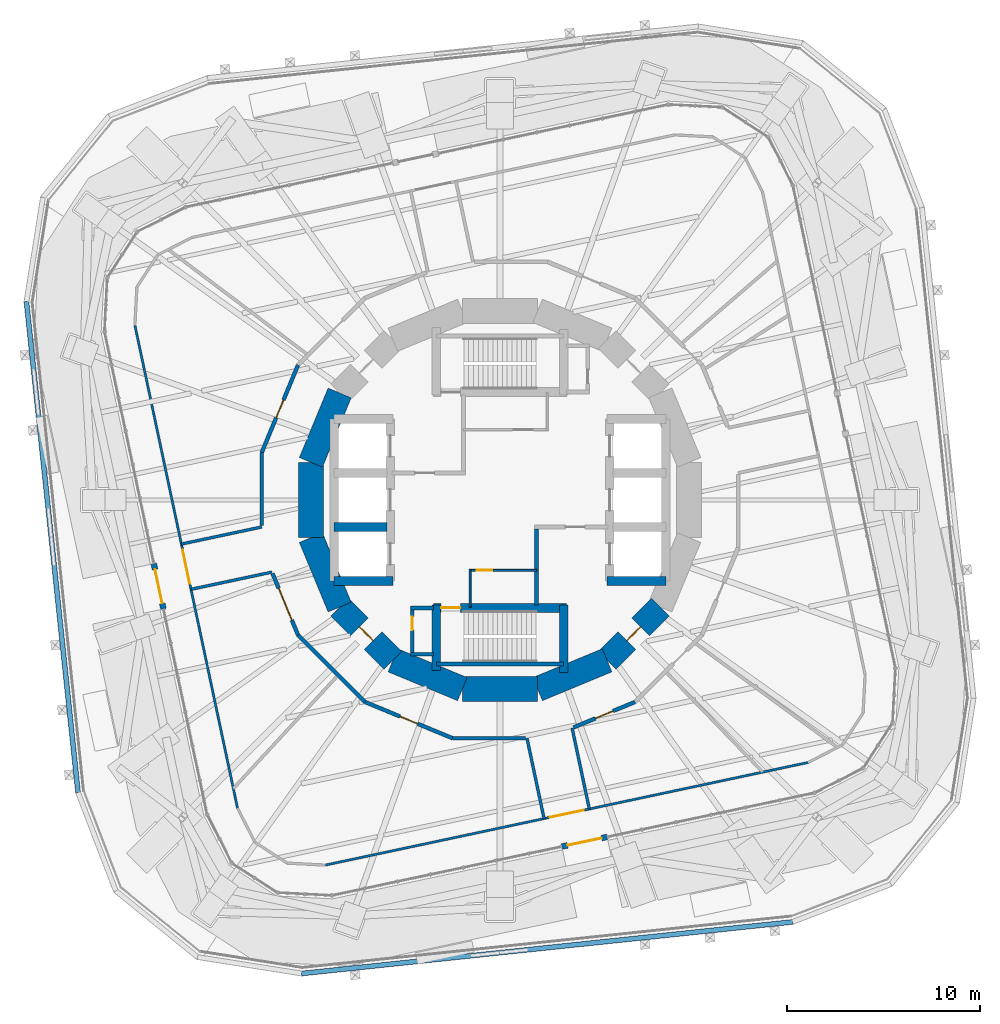
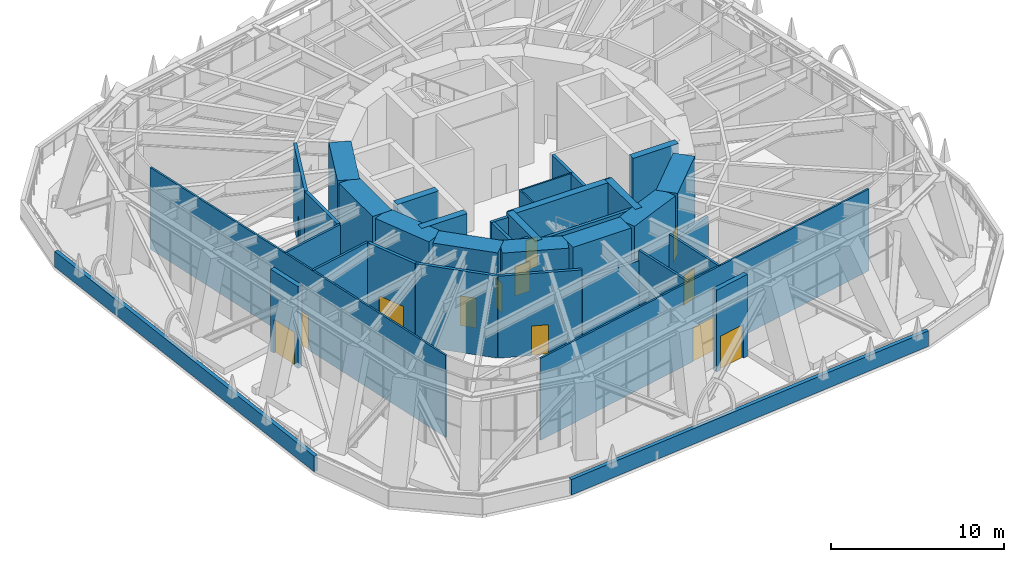
# One storey, part 15 of 23: 38 walls, 13 doors, 13 openings.
"""IFC4 building model written with IfcOpenShell, lengths in metres."""

import ifcopenshell
import ifcopenshell.guid

model = None  # the IFC model being written
_history = None  # IfcOwnerHistory: only IFC2X3 demands one
_inside = {}  # id of a spatial element -> (the spatial element, [elements in it])
_under = {}  # id of a project, library or spatial element -> (it, [spatial elements below it])
_declared = {}  # id of a project -> (the project, [libraries it declares])
_typed = {}  # id of a type object -> (the type object, [elements of that type])
_made_of = {}  # id of a material, layer set ... -> (it, [elements and type objects made of it])


def new_model(schema):
    """Start an empty IFC model of exactly this schema.

    Asked for "IFC4X3", IfcOpenShell would pick the latest addendum, in which some entities
    have other attributes; the version numbers below select the first issue.
    IFC2X3 requires an IfcOwnerHistory on every rooted entity: one is made here for all.
    """
    global model, _history
    if schema == "IFC4X3":
        model = ifcopenshell.file(schema_version=(4, 3, 0, 0))
    else:
        model = ifcopenshell.file(schema=schema)
    _inside.clear()
    _under.clear()
    _declared.clear()
    _typed.clear()
    _made_of.clear()
    _history = None
    if model.schema == "IFC2X3":
        org = make("IfcOrganization", Name="unknown")
        user = make(
            "IfcPersonAndOrganization",
            ThePerson=make("IfcPerson", FamilyName="unknown"),
            TheOrganization=org,
        )
        app = make(
            "IfcApplication",
            ApplicationDeveloper=org,
            Version="unknown",
            ApplicationFullName="unknown",
            ApplicationIdentifier="unknown",
        )
        _history = make(
            "IfcOwnerHistory",
            OwningUser=user,
            OwningApplication=app,
            ChangeAction="ADDED",
            CreationDate=0,
        )
    return model


def make(cls, **values):
    """One entity of the class cls with the attributes given. An attribute that is None is left unset."""
    return model.create_entity(
        cls, **{name: value for name, value in values.items() if value is not None}
    )


def rooted(cls, **values):
    """An entity with a GlobalId (a new one), such as an element, a storey or a relation."""
    return make(cls, GlobalId=ifcopenshell.guid.new(), OwnerHistory=_history, **values)


def si_unit(unit_type, name, prefix=None):
    """IfcSIUnit, for example si_unit("LENGTHUNIT", "METRE", prefix="MILLI")."""
    return make("IfcSIUnit", UnitType=unit_type, Prefix=prefix, Name=name)


def assignment(units):
    """IfcUnitAssignment: the units of a project."""
    return None if units is None else make("IfcUnitAssignment", Units=units)


def point(xyz):
    """IfcCartesianPoint."""
    return None if xyz is None else make("IfcCartesianPoint", Coordinates=xyz)


def direction(xyz):
    """IfcDirection."""
    return None if xyz is None else make("IfcDirection", DirectionRatios=xyz)


def frame(location, z_axis=None, x_axis=None):
    """IfcAxis2Placement3D, a coordinate frame: its origin and axes. An axis left out is left unset."""
    return make(
        "IfcAxis2Placement3D",
        Location=point(location),
        Axis=direction(z_axis),
        RefDirection=direction(x_axis),
    )


def frame_2d(location, x_axis=None):
    """IfcAxis2Placement2D, a coordinate frame in the plane: its origin and x axis."""
    return make(
        "IfcAxis2Placement2D", Location=point(location), RefDirection=direction(x_axis)
    )


def origin():
    """The frame at (0, 0, 0) with its axes left unset."""
    return frame((0.0, 0.0, 0.0))


def place(relative_to, where):
    """IfcLocalPlacement: puts the frame where relative to a parent placement (None: the world)."""
    return make(
        "IfcLocalPlacement", PlacementRelTo=relative_to, RelativePlacement=where
    )


def context(
    kind, dimensions, precision=None, world=None, true_north=None, identifier=None
):
    """IfcGeometricRepresentationContext, for example the 3D "Model" context."""
    return make(
        "IfcGeometricRepresentationContext",
        ContextIdentifier=identifier,
        ContextType=kind,
        CoordinateSpaceDimension=dimensions,
        Precision=precision,
        WorldCoordinateSystem=world,
        TrueNorth=true_north,
    )


def subcontext(parent, identifier, kind, view, scale=None):
    """IfcGeometricRepresentationSubContext, for example "Body" below "Model"."""
    return make(
        "IfcGeometricRepresentationSubContext",
        ContextIdentifier=identifier,
        ContextType=kind,
        ParentContext=parent,
        TargetScale=scale,
        TargetView=view,
    )


def project(units=None, contexts=None):
    """IfcProject with its units and contexts."""
    return rooted(
        "IfcProject",
        Name="project",
        RepresentationContexts=contexts,
        UnitsInContext=assignment(units),
    )


def spatial(cls, under=None, at=None, **own):
    """A site, building, storey or space (cls), placed at a placement, below another one or the project."""
    s = rooted(cls, ObjectPlacement=at, **own)
    if under is not None:
        _under.setdefault(under.id(), (under, []))[1].append(s)
    return s


def profile(cls, at=None, kind="AREA", **sizes):
    """A parametric profile (cls). Its sizes go by their IFC names, for example OverallWidth=200.0."""
    return make(cls, ProfileType=kind, Position=at, **sizes)


def rectangle(**sizes):
    """IfcRectangleProfileDef."""
    return profile("IfcRectangleProfileDef", **sizes)


def extrude(swept, where, along, depth):
    """IfcExtrudedAreaSolid: the profile swept, set in the frame where, extruded along a direction by depth."""
    return make(
        "IfcExtrudedAreaSolid",
        SweptArea=swept,
        Position=where,
        ExtrudedDirection=direction(along),
        Depth=depth,
    )


def shape(context_of_items, identifier, shape_type, items):
    """IfcShapeRepresentation: the items that make up one representation, for example the "Body"."""
    return make(
        "IfcShapeRepresentation",
        ContextOfItems=context_of_items,
        RepresentationIdentifier=identifier,
        RepresentationType=shape_type,
        Items=items,
    )


def material(Name=None, Category=None):
    """IfcMaterial."""
    return make("IfcMaterial", Name=Name, Category=Category)


def layer(
    of_material, thickness, ventilated=None, Name=None, Category=None, Priority=None
):
    """IfcMaterialLayer: one layer of a wall or slab, of a material (None: an air gap)."""
    return make(
        "IfcMaterialLayer",
        Material=of_material,
        LayerThickness=thickness,
        IsVentilated=ventilated,
        Name=Name,
        Category=Category,
        Priority=Priority,
    )


def layer_set(layers, Name=None):
    """IfcMaterialLayerSet."""
    return make("IfcMaterialLayerSet", MaterialLayers=layers, LayerSetName=Name)


def made_of(thing, what):
    """Note that an element or type object is made of a material, layer set ...; save() writes the relation."""
    if what is not None:
        _made_of.setdefault(what.id(), (what, []))[1].append(thing)
    return thing


def type_object(cls, material=None, **own):
    """A type object (cls), such as IfcWallType, which elements share."""
    return made_of(rooted(cls, **own), material)


def element(
    cls,
    number,
    at=None,
    inside=None,
    cuts=None,
    type_object=None,
    material=None,
    context=None,
    identifier="Body",
    shape_type=None,
    held_by="IfcProductDefinitionShape",
    body=None,
    shapes=None,
    **own,
):
    """One element of the class cls, such as IfcWall. Its Tag is "e" and its number.

    at: its placement. inside: the storey or other place that contains it. cuts: it is an
    opening in that element (IfcRelVoidsElement). A single representation is given by context,
    identifier, shape_type and body (its items); several are given by shapes. held_by: the class
    of the entity that holds the representations. save() writes the other relations.
    """
    e = rooted(cls, Tag="e%d" % number, ObjectPlacement=at, **own)
    if body is not None:
        shapes = [shape(context, identifier, shape_type, body)]
    if shapes is not None:
        e.Representation = make(held_by, Representations=shapes)
    if inside is not None:
        _inside.setdefault(inside.id(), (inside, []))[1].append(e)
    if cuts is not None:
        rooted(
            "IfcRelVoidsElement", RelatingBuildingElement=cuts, RelatedOpeningElement=e
        )
    if type_object is not None:
        _typed.setdefault(type_object.id(), (type_object, []))[1].append(e)
    return made_of(e, material)


def fill(opening, filler):
    """IfcRelFillsElement: the door or window that sits in an opening."""
    return rooted(
        "IfcRelFillsElement",
        RelatingOpeningElement=opening,
        RelatedBuildingElement=filler,
    )


def aggregate(whole, parts):
    """IfcRelAggregates: a whole, such as a stair, and the parts it consists of."""
    return rooted("IfcRelAggregates", RelatingObject=whole, RelatedObjects=parts)


def save(model, path):
    """Write the relations noted so far, then the file.

    IfcRelAggregates (storeys below a building ...), IfcRelContainedInSpatialStructure (elements
    in a storey), IfcRelDefinesByType, IfcRelAssociatesMaterial and IfcRelDeclares: one each for
    every whole, place, type object, material and project.
    """
    for whole, parts in _under.values():
        aggregate(whole, parts)
    for where, things in _inside.values():
        rooted(
            "IfcRelContainedInSpatialStructure",
            RelatedElements=things,
            RelatingStructure=where,
        )
    for kind, things in _typed.values():
        rooted("IfcRelDefinesByType", RelatedObjects=things, RelatingType=kind)
    for what, things in _made_of.values():
        rooted("IfcRelAssociatesMaterial", RelatedObjects=things, RelatingMaterial=what)
    for by, libraries in _declared.values():
        rooted("IfcRelDeclares", RelatingContext=by, RelatedDefinitions=libraries)
    model.write(path)


model = new_model("IFC4")

# Units and contexts
model_context = context("Model", 3, precision=1e-05, world=origin(), true_north=direction((0.0, 1.0)))
body_context = subcontext(model_context, "Body", "Model", "MODEL_VIEW")
ifc_project = project(units=[si_unit("LENGTHUNIT", "METRE"), si_unit("AREAUNIT", "SQUARE_METRE"), si_unit("VOLUMEUNIT", "CUBIC_METRE"), si_unit("PLANEANGLEUNIT", "RADIAN"), si_unit("MASSUNIT", "GRAM", prefix="KILO")], contexts=[model_context])

# Site, building, storey
site_placement = place(None, origin())
site = spatial("IfcSite", under=ifc_project, at=site_placement, CompositionType="ELEMENT")
building_placement = place(site_placement, origin())
building = spatial("IfcBuilding", under=site, at=building_placement, Name="Nakasero Lantern House", CompositionType="ELEMENT")
storey_placement = place(building_placement, frame((0.0, 0.0, 95.14990234375)))
storey = spatial("IfcBuildingStorey", under=building, at=storey_placement, Name="L23", CompositionType="ELEMENT", Elevation=95.14990234375)

# Walls
ifc_material_1 = material(Name="Concrete C50/60", Category="concrete")
ifc_layer_1 = layer(ifc_material_1, 0.449951171875)
ifc_layer_set_1 = layer_set([ifc_layer_1], Name="Core inner wall 450")
wall_type_1 = type_object("IfcWallType", Name="Core inner wall 450", PredefinedType="SHEAR", material=ifc_layer_set_1)
for number, where, z_axis, x_axis, name in (
    (1, (-8.60009765625, -4.199951171875, 0.0), (0.0, 0.0, 1.0), (1.0, 0.0, 0.0), "Core inner wall L23 LWS"),
    (2, (5.550048828125, -4.199951171875, 0.0), (0.0, 0.0, 1.0), (1.0, 0.0, 0.0), "Core inner wall L23 LES"),
):
    element("IfcWall", number, at=place(storey_placement, frame(where, z_axis=z_axis, x_axis=x_axis)), inside=storey, type_object=wall_type_1, Name=name, PredefinedType="SHEAR", context=body_context, shape_type="SweptSolid", body=[
        extrude(rectangle(XDim=3.050048828125, YDim=0.449951171875, at=frame_2d((1.52490234375, 0.0))), origin(), (0.0, 0.0, 1.0), 6.0),
    ])
wall_1_placement = place(storey_placement, frame((-8.60009765625, -1.39990234375, 0.0), z_axis=(0.0, 0.0, 1.0), x_axis=(1.0, 0.0, 0.0)))
element("IfcWall", 3, at=wall_1_placement, inside=storey, type_object=wall_type_1, Name="Core inner wall L23 LW1", PredefinedType="SHEAR", context=body_context, shape_type="SweptSolid", body=[
    extrude(rectangle(XDim=2.75, YDim=0.449951171875, at=frame_2d((1.375, 0.0))), origin(), (0.0, 0.0, 1.0), 6.0),
])

# Wall, opening, door
wall_2_placement = place(storey_placement, frame((-3.449951171875, -5.60009765625, 0.0), z_axis=(0.0, 0.0, 1.0), x_axis=(1.0, 0.0, 0.0)))
wall_2 = element("IfcWall", 4, at=wall_2_placement, inside=storey, type_object=wall_type_1, Name="Core inner wall L23 SS", PredefinedType="SHEAR", context=body_context, shape_type="SweptSolid", body=[
    extrude(rectangle(XDim=6.89990234375, YDim=0.449951171875, at=frame_2d((3.449951171875, 0.0))), origin(), (0.0, 0.0, 1.0), 6.0),
])
opening_1_placement = place(wall_2_placement, frame((0.39990234375, 0.0, 0.0)))
opening_1 = element("IfcOpeningElement", 5, at=opening_1_placement, cuts=wall_2, Name="Opening D05", PredefinedType="OPENING", context=body_context, shape_type="SweptSolid", body=[
    extrude(rectangle(XDim=1.0, YDim=2.10009765625, at=frame_2d((0.5, 1.050048828125))), frame((0.0, 0.244873046875, 0.0), z_axis=(0.0, -1.0, 0.0), x_axis=(1.0, 0.0, 0.0)), (0.0, 0.0, 1.0), 0.489990234375),
])
ifc_material_2 = material(Name="Timber C24", Category="wood")
door_type_1 = type_object("IfcDoorType", Name="Core door FD60S 1000", OperationType="SINGLE_SWING_LEFT", PredefinedType="DOOR", material=ifc_material_2)
door_1_placement = place(opening_1_placement, origin())
door_1 = element("IfcDoor", 6, at=door_1_placement, inside=storey, type_object=door_type_1, Name="Door L23 D-ST2", OperationType="SINGLE_SWING_LEFT", OverallHeight=2.10009765625, OverallWidth=1.0, PredefinedType="DOOR", context=body_context, shape_type="SweptSolid", body=[
    extrude(rectangle(XDim=1.0, YDim=2.10009765625, at=frame_2d((0.5, 1.050048828125))), frame((0.0, 0.02490234375, 0.0), z_axis=(0.0, -1.0, 0.0), x_axis=(1.0, 0.0, 0.0)), (0.0, 0.0, 1.0), 0.050048828125),
])
fill(opening_1, door_1)

# Walls
wall_3_placement = place(storey_placement, frame((-3.300048828125, -5.449951171875, 0.0), z_axis=(0.0, 0.0, 1.0), x_axis=(0.0, -1.0, 0.0)))
element("IfcWall", 7, at=wall_3_placement, inside=storey, type_object=wall_type_1, Name="Core inner wall L23 SSW", PredefinedType="SHEAR", context=body_context, shape_type="SweptSolid", body=[
    extrude(rectangle(XDim=3.400146484375, YDim=0.449951171875, at=frame_2d((1.7001953125, 0.0))), origin(), (0.0, 0.0, 1.0), 6.0),
])
wall_4_placement = place(storey_placement, frame((3.300048828125, -5.449951171875, 0.0), z_axis=(0.0, 0.0, 1.0), x_axis=(0.0, -1.0, 0.0)))
element("IfcWall", 8, at=wall_4_placement, inside=storey, type_object=wall_type_1, Name="Core inner wall L23 SSE", PredefinedType="SHEAR", context=body_context, shape_type="SweptSolid", body=[
    extrude(rectangle(XDim=3.5, YDim=0.449951171875, at=frame_2d((1.75, 0.0))), origin(), (0.0, 0.0, 1.0), 6.0),
])

# Wall, opening, door
ifc_material_3 = material(Name="Blockwork", Category="masonry")
ifc_layer_2 = layer(ifc_material_3, 0.10009765625)
ifc_layer_set_2 = layer_set([ifc_layer_2], Name="Core room wall 100")
wall_type_2 = type_object("IfcWallType", Name="Core room wall 100", PredefinedType="PARTITIONING", material=ifc_layer_set_2)
wall_5_placement = place(storey_placement, frame((-1.60009765625, -3.64990234375, 0.0), z_axis=(0.0, 0.0, 1.0), x_axis=(1.0, 0.0, 0.0)))
wall_5 = element("IfcWall", 9, at=wall_5_placement, inside=storey, type_object=wall_type_2, Name="Core room wall L23 CR-SWN", PredefinedType="PARTITIONING", context=body_context, shape_type="SweptSolid", body=[
    extrude(rectangle(XDim=3.5, YDim=0.10009765625, at=frame_2d((1.75, 0.0))), origin(), (0.0, 0.0, 1.0), 5.800048828125),
])
opening_2_placement = place(wall_5_placement, frame((0.39990234375, 0.0, 0.0)))
opening_2 = element("IfcOpeningElement", 10, at=opening_2_placement, cuts=wall_5, Name="Opening D15", PredefinedType="OPENING", context=body_context, shape_type="SweptSolid", body=[
    extrude(rectangle(XDim=0.800048828125, YDim=2.10009765625, at=frame_2d((0.39990234375, 1.050048828125))), frame((0.0, 0.070068359375, 0.0), z_axis=(0.0, -1.0, 0.0), x_axis=(1.0, 0.0, 0.0)), (0.0, 0.0, 1.0), 0.14013671875),
])
ifc_material_4 = material(Name="Timber C24", Category="wood")
door_type_2 = type_object("IfcDoorType", Name="Cleaner's store door FD30S 800", OperationType="SINGLE_SWING_LEFT", PredefinedType="DOOR", material=ifc_material_4)
door_2_placement = place(opening_2_placement, origin())
door_2 = element("IfcDoor", 11, at=door_2_placement, inside=storey, type_object=door_type_2, Name="Door L23 D-CR-SW", OperationType="SINGLE_SWING_LEFT", OverallHeight=2.10009765625, OverallWidth=0.800048828125, PredefinedType="DOOR", context=body_context, shape_type="SweptSolid", body=[
    extrude(rectangle(XDim=0.800048828125, YDim=2.10009765625, at=frame_2d((0.39990234375, 1.050048828125))), frame((0.0, 0.02490234375, 0.0), z_axis=(0.0, -1.0, 0.0), x_axis=(1.0, 0.0, 0.0)), (0.0, 0.0, 1.0), 0.050048828125),
])
fill(opening_2, door_2)

# Walls
wall_6_placement = place(storey_placement, frame((-1.550048828125, -5.550048828125, 0.0), z_axis=(0.0, 0.0, 1.0), x_axis=(0.0, 1.0, 0.0)))
element("IfcWall", 12, at=wall_6_placement, inside=storey, type_object=wall_type_2, Name="Core room wall L23 CR-SWW", PredefinedType="PARTITIONING", context=body_context, shape_type="SweptSolid", body=[
    extrude(rectangle(XDim=1.949951171875, YDim=0.10009765625, at=frame_2d((0.97509765625, 0.0))), origin(), (0.0, 0.0, 1.0), 5.800048828125),
])
ifc_material_5 = material(Name="Concrete C50/60", Category="concrete")
ifc_layer_3 = layer(ifc_material_5, 1.300048828125)
ifc_layer_set_3 = layer_set([ifc_layer_3], Name="Core wall 1300")
wall_type_3 = type_object("IfcWallType", Name="Core wall 1300", PredefinedType="SHEAR", material=ifc_layer_set_3)
for number, where, z_axis, x_axis, name in (
    (13, (-8.314697265625, 5.5556640625, 0.0), (0.0, 0.0, 1.0), (-0.382690736062, -0.923876507187, 0.0), "Core wall L23 facet 7"),
    (14, (-9.807861328125, 1.950927734375, 0.0), (0.0, 0.0, 1.0), (0.0, -1.0, 0.0), "Core wall L23 facet 8"),
    (15, (-9.807861328125, -1.950927734375, 0.0), (0.0, 0.0, 1.0), (0.382690736062, -0.923876507187, 0.0), "Core wall L23 facet 9"),
):
    element("IfcWall", number, at=place(storey_placement, frame(where, z_axis=z_axis, x_axis=x_axis)), inside=storey, type_object=wall_type_3, Name=name, PredefinedType="SHEAR", context=body_context, shape_type="SweptSolid", body=[
        extrude(rectangle(XDim=3.90185546875, YDim=1.300048828125, at=frame_2d((1.950927734375, 0.0))), origin(), (0.0, 0.0, 1.0), 6.0),
    ])

# Wall, opening, door
wall_7_placement = place(storey_placement, frame((-8.314697265625, -5.5556640625, 0.0), z_axis=(0.0, 0.0, 1.0), x_axis=(0.707106781187, -0.707106781187, 0.0)))
wall_7 = element("IfcWall", 16, at=wall_7_placement, inside=storey, type_object=wall_type_3, Name="Core wall L23 facet 10", PredefinedType="SHEAR", context=body_context, shape_type="SweptSolid", body=[
    extrude(rectangle(XDim=3.90185546875, YDim=1.300048828125, at=frame_2d((1.950927734375, 0.0))), origin(), (0.0, 0.0, 1.0), 6.0),
])
opening_3_placement = place(wall_7_placement, frame((1.450927734375, 0.0, 0.0)))
opening_3 = element("IfcOpeningElement", 17, at=opening_3_placement, cuts=wall_7, Name="Opening D05", PredefinedType="OPENING", context=body_context, shape_type="SweptSolid", body=[
    extrude(rectangle(XDim=1.0, YDim=2.10009765625, at=frame_2d((0.5, 1.050048828125))), frame((0.0, 0.669921875, 0.0), z_axis=(0.0, -1.0, 0.0), x_axis=(1.0, 0.0, 0.0)), (0.0, 0.0, 1.0), 1.340087890625),
])
door_3_placement = place(opening_3_placement, origin())
door_3 = element("IfcDoor", 18, at=door_3_placement, inside=storey, type_object=door_type_1, Name="Door L23 D-CORE10", OperationType="SINGLE_SWING_LEFT", OverallHeight=2.10009765625, OverallWidth=1.0, PredefinedType="DOOR", context=body_context, shape_type="SweptSolid", body=[
    extrude(rectangle(XDim=1.0, YDim=2.10009765625, at=frame_2d((0.5, 1.050048828125))), frame((0.0, 0.02490234375, 0.0), z_axis=(0.0, -1.0, 0.0), x_axis=(1.0, 0.0, 0.0)), (0.0, 0.0, 1.0), 0.050048828125),
])
fill(opening_3, door_3)

# Walls
for number, where, z_axis, x_axis, name in (
    (19, (-5.5556640625, -8.314697265625, 0.0), (0.0, 0.0, 1.0), (0.923876507187, -0.382690736062, 0.0), "Core wall L23 facet 11"),
    (20, (-1.950927734375, -9.807861328125, 0.0), (0.0, 0.0, 1.0), (1.0, 0.0, 0.0), "Core wall L23 facet 12"),
    (21, (1.950927734375, -9.807861328125, 0.0), (0.0, 0.0, 1.0), (0.923876507187, 0.382690736062, 0.0), "Core wall L23 facet 13"),
):
    element("IfcWall", number, at=place(storey_placement, frame(where, z_axis=z_axis, x_axis=x_axis)), inside=storey, type_object=wall_type_3, Name=name, PredefinedType="SHEAR", context=body_context, shape_type="SweptSolid", body=[
        extrude(rectangle(XDim=3.90185546875, YDim=1.300048828125, at=frame_2d((1.950927734375, 0.0))), origin(), (0.0, 0.0, 1.0), 6.0),
    ])

# Wall, opening, door
wall_8_placement = place(storey_placement, frame((5.5556640625, -8.314697265625, 0.0), z_axis=(0.0, 0.0, 1.0), x_axis=(0.707106781187, 0.707106781187, 0.0)))
wall_8 = element("IfcWall", 22, at=wall_8_placement, inside=storey, type_object=wall_type_3, Name="Core wall L23 facet 14", PredefinedType="SHEAR", context=body_context, shape_type="SweptSolid", body=[
    extrude(rectangle(XDim=3.90185546875, YDim=1.300048828125, at=frame_2d((1.950927734375, 0.0))), origin(), (0.0, 0.0, 1.0), 6.0),
])
opening_4_placement = place(wall_8_placement, frame((1.450927734375, 0.0, 0.0)))
opening_4 = element("IfcOpeningElement", 23, at=opening_4_placement, cuts=wall_8, Name="Opening D05", PredefinedType="OPENING", context=body_context, shape_type="SweptSolid", body=[
    extrude(rectangle(XDim=1.0, YDim=2.10009765625, at=frame_2d((0.5, 1.050048828125))), frame((0.0, 0.669921875, 0.0), z_axis=(0.0, -1.0, 0.0), x_axis=(1.0, 0.0, 0.0)), (0.0, 0.0, 1.0), 1.340087890625),
])
door_4_placement = place(opening_4_placement, origin())
door_4 = element("IfcDoor", 24, at=door_4_placement, inside=storey, type_object=door_type_1, Name="Door L23 D-CORE14", OperationType="SINGLE_SWING_LEFT", OverallHeight=2.10009765625, OverallWidth=1.0, PredefinedType="DOOR", context=body_context, shape_type="SweptSolid", body=[
    extrude(rectangle(XDim=1.0, YDim=2.10009765625, at=frame_2d((0.5, 1.050048828125))), frame((0.0, 0.02490234375, 0.0), z_axis=(0.0, -1.0, 0.0), x_axis=(1.0, 0.0, 0.0)), (0.0, 0.0, 1.0), 0.050048828125),
])
fill(opening_4, door_4)

ifc_material_6 = material(Name="Blockwork", Category="masonry")
ifc_layer_4 = layer(ifc_material_6, 0.199951171875)
ifc_layer_set_4 = layer_set([ifc_layer_4], Name="Corridor wall 200")
wall_type_4 = type_object("IfcWallType", Name="Corridor wall 200", PredefinedType="PARTITIONING", material=ifc_layer_set_4)
wall_9_placement = place(storey_placement, frame((7.000244140625, -10.4765625, 0.0), z_axis=(0.0, 0.0, 1.0), x_axis=(-0.923901330046, -0.382630804222, 0.0)))
wall_9 = element("IfcWall", 25, at=wall_9_placement, inside=storey, type_object=wall_type_4, Name="Corridor wall L23 TC03", PredefinedType="PARTITIONING", context=body_context, shape_type="SweptSolid", body=[
    extrude(rectangle(XDim=3.451904296875, YDim=0.199951171875, at=frame_2d((1.72607421875, 0.0))), origin(), (0.0, 0.0, 1.0), 5.11669921875),
])
opening_5_placement = place(wall_9_placement, frame((1.225830078125, 0.0, 0.0)))
opening_5 = element("IfcOpeningElement", 26, at=opening_5_placement, cuts=wall_9, Name="Opening D07", PredefinedType="OPENING", context=body_context, shape_type="SweptSolid", body=[
    extrude(rectangle(XDim=1.0, YDim=2.10009765625, at=frame_2d((0.5, 1.050048828125))), frame((0.0, 0.119873046875, 0.0), z_axis=(0.0, -1.0, 0.0), x_axis=(1.0, 0.0, 0.0)), (0.0, 0.0, 1.0), 0.239990234375),
])
ifc_material_7 = material(Name="Timber C24", Category="wood")
door_type_3 = type_object("IfcDoorType", Name="Room door FD30S 1000", OperationType="SINGLE_SWING_LEFT", PredefinedType="DOOR", material=ifc_material_7)
door_5_placement = place(opening_5_placement, origin())
door_5 = element("IfcDoor", 27, at=door_5_placement, inside=storey, type_object=door_type_3, Name="Door L23 TDR30", OperationType="SINGLE_SWING_LEFT", OverallHeight=2.10009765625, OverallWidth=1.0, PredefinedType="DOOR", context=body_context, shape_type="SweptSolid", body=[
    extrude(rectangle(XDim=1.0, YDim=2.10009765625, at=frame_2d((0.5, 1.050048828125))), frame((0.0, 0.02490234375, 0.0), z_axis=(0.0, -1.0, 0.0), x_axis=(1.0, 0.0, 0.0)), (0.0, 0.0, 1.0), 0.050048828125),
])
fill(opening_5, door_5)

# Wall
wall_10_placement = place(storey_placement, frame((1.3232421875, -12.35791015625, 0.0), z_axis=(0.0, 0.0, 1.0), x_axis=(-1.0, 0.0, 0.0)))
element("IfcWall", 28, at=wall_10_placement, inside=storey, type_object=wall_type_4, Name="Corridor wall L23 TC04", PredefinedType="PARTITIONING", context=body_context, shape_type="SweptSolid", body=[
    extrude(rectangle(XDim=3.78125, YDim=0.199951171875, at=frame_2d((1.890625, 0.0))), origin(), (0.0, 0.0, 1.0), 5.11669921875),
])

# Wall, opening, door
wall_11_placement = place(storey_placement, frame((-2.4580078125, -12.35791015625, 0.0), z_axis=(0.0, 0.0, 1.0), x_axis=(-0.923887315722, 0.382664641492, 0.0)))
wall_11 = element("IfcWall", 29, at=wall_11_placement, inside=storey, type_object=wall_type_4, Name="Corridor wall L23 TC05", PredefinedType="PARTITIONING", context=body_context, shape_type="SweptSolid", body=[
    extrude(rectangle(XDim=4.91650390625, YDim=0.199951171875, at=frame_2d((2.458251953125, 0.0))), origin(), (0.0, 0.0, 1.0), 5.800048828125),
])
opening_6_placement = place(wall_11_placement, frame((1.958251953125, 0.0, 0.0)))
opening_6 = element("IfcOpeningElement", 30, at=opening_6_placement, cuts=wall_11, Name="Opening D07", PredefinedType="OPENING", context=body_context, shape_type="SweptSolid", body=[
    extrude(rectangle(XDim=1.0, YDim=2.10009765625, at=frame_2d((0.5, 1.050048828125))), frame((0.0, 0.119873046875, 0.0), z_axis=(0.0, -1.0, 0.0), x_axis=(1.0, 0.0, 0.0)), (0.0, 0.0, 1.0), 0.239990234375),
])
door_6_placement = place(opening_6_placement, origin())
door_6 = element("IfcDoor", 31, at=door_6_placement, inside=storey, type_object=door_type_3, Name="Door L23 TDR21", OperationType="SINGLE_SWING_RIGHT", OverallHeight=2.10009765625, OverallWidth=1.0, PredefinedType="DOOR", context=body_context, shape_type="SweptSolid", body=[
    extrude(rectangle(XDim=1.0, YDim=2.10009765625, at=frame_2d((0.5, 1.050048828125))), frame((0.0, 0.02490234375, 0.0), z_axis=(0.0, -1.0, 0.0), x_axis=(1.0, 0.0, 0.0)), (0.0, 0.0, 1.0), 0.050048828125),
])
fill(opening_6, door_6)

# Wall
wall_12_placement = place(storey_placement, frame((-7.000244140625, -10.4765625, 0.0), z_axis=(0.0, 0.0, 1.0), x_axis=(-0.707106781187, 0.707106781187, 0.0)))
element("IfcWall", 32, at=wall_12_placement, inside=storey, type_object=wall_type_4, Name="Corridor wall L23 TC06", PredefinedType="PARTITIONING", context=body_context, shape_type="SweptSolid", body=[
    extrude(rectangle(XDim=4.916259765625, YDim=0.199951171875, at=frame_2d((2.4580078125, 0.0))), origin(), (0.0, 0.0, 1.0), 5.800048828125),
])

# Wall, opening, door
wall_13_placement = place(storey_placement, frame((-10.4765625, -7.000244140625, 0.0), z_axis=(0.0, 0.0, 1.0), x_axis=(-0.382630804222, 0.923901330046, 0.0)))
wall_13 = element("IfcWall", 33, at=wall_13_placement, inside=storey, type_object=wall_type_4, Name="Corridor wall L23 TC07", PredefinedType="PARTITIONING", context=body_context, shape_type="SweptSolid", body=[
    extrude(rectangle(XDim=3.451904296875, YDim=0.199951171875, at=frame_2d((1.72607421875, 0.0))), origin(), (0.0, 0.0, 1.0), 5.800048828125),
])
opening_7_placement = place(wall_13_placement, frame((0.825927734375, 0.0, 0.0)))
opening_7 = element("IfcOpeningElement", 34, at=opening_7_placement, cuts=wall_13, Name="Opening D12", PredefinedType="OPENING", context=body_context, shape_type="SweptSolid", body=[
    extrude(rectangle(XDim=1.800048828125, YDim=2.39990234375, at=frame_2d((0.89990234375, 1.199951171875))), frame((0.0, 0.119873046875, 0.0), z_axis=(0.0, -1.0, 0.0), x_axis=(1.0, 0.0, 0.0)), (0.0, 0.0, 1.0), 0.239990234375),
])
ifc_material_8 = material(Name="Timber C24", Category="wood")
door_type_4 = type_object("IfcDoorType", Name="Room doors FD30S 1800", OperationType="DOUBLE_DOOR_SINGLE_SWING", PredefinedType="DOOR", material=ifc_material_8)
door_7_placement = place(opening_7_placement, origin())
door_7 = element("IfcDoor", 35, at=door_7_placement, inside=storey, type_object=door_type_4, Name="Door L23 TDR20", OperationType="DOUBLE_DOOR_SINGLE_SWING", OverallHeight=2.39990234375, OverallWidth=1.800048828125, PredefinedType="DOOR", context=body_context, shape_type="SweptSolid", body=[
    extrude(rectangle(XDim=1.800048828125, YDim=2.39990234375, at=frame_2d((0.89990234375, 1.199951171875))), frame((0.0, 0.02490234375, 0.0), z_axis=(0.0, -1.0, 0.0), x_axis=(1.0, 0.0, 0.0)), (0.0, 0.0, 1.0), 0.050048828125),
])
fill(opening_7, door_7)

# Wall
wall_14_placement = place(storey_placement, frame((-12.35791015625, -1.3232421875, 0.0), z_axis=(0.0, 0.0, 1.0), x_axis=(0.0, 1.0, 0.0)))
element("IfcWall", 36, at=wall_14_placement, inside=storey, type_object=wall_type_4, Name="Corridor wall L23 TC08", PredefinedType="PARTITIONING", context=body_context, shape_type="SweptSolid", body=[
    extrude(rectangle(XDim=3.78125, YDim=0.199951171875, at=frame_2d((1.890625, 0.0))), origin(), (0.0, 0.0, 1.0), 5.800048828125),
])

# Wall, opening, door
wall_15_placement = place(storey_placement, frame((-12.35791015625, 2.4580078125, 0.0), z_axis=(0.0, 0.0, 1.0), x_axis=(0.382664641492, 0.923887315722, 0.0)))
wall_15 = element("IfcWall", 37, at=wall_15_placement, inside=storey, type_object=wall_type_4, Name="Corridor wall L23 TC09", PredefinedType="PARTITIONING", context=body_context, shape_type="SweptSolid", body=[
    extrude(rectangle(XDim=4.91650390625, YDim=0.199951171875, at=frame_2d((2.458251953125, 0.0))), origin(), (0.0, 0.0, 1.0), 5.800048828125),
])
opening_8_placement = place(wall_15_placement, frame((1.958251953125, 0.0, 0.0)))
opening_8 = element("IfcOpeningElement", 38, at=opening_8_placement, cuts=wall_15, Name="Opening D07", PredefinedType="OPENING", context=body_context, shape_type="SweptSolid", body=[
    extrude(rectangle(XDim=1.0, YDim=2.10009765625, at=frame_2d((0.5, 1.050048828125))), frame((0.0, 0.119873046875, 0.0), z_axis=(0.0, -1.0, 0.0), x_axis=(1.0, 0.0, 0.0)), (0.0, 0.0, 1.0), 0.239990234375),
])
door_8_placement = place(opening_8_placement, origin())
door_8 = element("IfcDoor", 39, at=door_8_placement, inside=storey, type_object=door_type_3, Name="Door L23 TDR11", OperationType="SINGLE_SWING_RIGHT", OverallHeight=2.10009765625, OverallWidth=1.0, PredefinedType="DOOR", context=body_context, shape_type="SweptSolid", body=[
    extrude(rectangle(XDim=1.0, YDim=2.10009765625, at=frame_2d((0.5, 1.050048828125))), frame((0.0, 0.02490234375, 0.0), z_axis=(0.0, -1.0, 0.0), x_axis=(1.0, 0.0, 0.0)), (0.0, 0.0, 1.0), 0.050048828125),
])
fill(opening_8, door_8)

ifc_material_9 = material(Name="Concrete C40/50", Category="concrete")
ifc_layer_5 = layer(ifc_material_9, 0.300048828125)
ifc_layer_set_5 = layer_set([ifc_layer_5], Name="Entrance portal wall 300")
wall_type_5 = type_object("IfcWallType", Name="Entrance portal wall 300", PredefinedType="SOLIDWALL", material=ifc_layer_set_5)
wall_16_placement = place(storey_placement, frame((-17.955078125, -3.305419921875, 0.0), z_axis=(0.0, 0.0, 1.0), x_axis=(0.207937840262, -0.978142042133, 0.0)))
wall_16 = element("IfcWall", 40, at=wall_16_placement, inside=storey, type_object=wall_type_5, Name="Sky lounge door wall L23 2", PredefinedType="SOLIDWALL", context=body_context, shape_type="SweptSolid", body=[
    extrude(rectangle(XDim=2.39990234375, YDim=0.300048828125, at=frame_2d((1.199951171875, 0.0))), origin(), (0.0, 0.0, 1.0), 5.800048828125),
])
opening_9_placement = place(wall_16_placement, frame((0.300048828125, 0.0, 0.0)))
opening_9 = element("IfcOpeningElement", 41, at=opening_9_placement, cuts=wall_16, Name="Opening D10", PredefinedType="OPENING", context=body_context, shape_type="SweptSolid", body=[
    extrude(rectangle(XDim=1.800048828125, YDim=2.39990234375, at=frame_2d((0.89990234375, 1.199951171875))), frame((0.0, 0.169921875, 0.0), z_axis=(0.0, -1.0, 0.0), x_axis=(1.0, 0.0, 0.0)), (0.0, 0.0, 1.0), 0.340087890625),
])
ifc_material_10 = material(Name="Aluminium 6063-T6 and glass", Category="aluminium")
door_type_5 = type_object("IfcDoorType", Name="Sky garden doors 1800x2400", OperationType="DOUBLE_DOOR_SINGLE_SWING", PredefinedType="DOOR", material=ifc_material_10)
door_9_placement = place(opening_9_placement, origin())
door_9 = element("IfcDoor", 42, at=door_9_placement, inside=storey, type_object=door_type_5, Name="Sky garden door L23 2", OperationType="DOUBLE_DOOR_SINGLE_SWING", OverallHeight=2.39990234375, OverallWidth=1.800048828125, PredefinedType="DOOR", context=body_context, shape_type="SweptSolid", body=[
    extrude(rectangle(XDim=1.800048828125, YDim=2.39990234375, at=frame_2d((0.89990234375, 1.199951171875))), frame((0.0, 0.02490234375, 0.0), z_axis=(0.0, -1.0, 0.0), x_axis=(1.0, 0.0, 0.0)), (0.0, 0.0, 1.0), 0.050048828125),
])
fill(opening_9, door_9)

wall_17_placement = place(storey_placement, frame((3.20751953125, -17.975830078125, 0.0), z_axis=(0.0, 0.0, 1.0), x_axis=(0.978167123015, 0.207819824493, 0.0)))
wall_17 = element("IfcWall", 43, at=wall_17_placement, inside=storey, type_object=wall_type_5, Name="Sky lounge door wall L23 3", PredefinedType="SOLIDWALL", context=body_context, shape_type="SweptSolid", body=[
    extrude(rectangle(XDim=2.400146484375, YDim=0.300048828125, at=frame_2d((1.2001953125, 0.0))), origin(), (0.0, 0.0, 1.0), 5.800048828125),
])
opening_10_placement = place(wall_17_placement, frame((0.300048828125, 0.0, 0.0)))
opening_10 = element("IfcOpeningElement", 44, at=opening_10_placement, cuts=wall_17, Name="Opening D10", PredefinedType="OPENING", context=body_context, shape_type="SweptSolid", body=[
    extrude(rectangle(XDim=1.800048828125, YDim=2.39990234375, at=frame_2d((0.89990234375, 1.199951171875))), frame((0.0, 0.169921875, 0.0), z_axis=(0.0, -1.0, 0.0), x_axis=(1.0, 0.0, 0.0)), (0.0, 0.0, 1.0), 0.340087890625),
])
door_10_placement = place(opening_10_placement, origin())
door_10 = element("IfcDoor", 45, at=door_10_placement, inside=storey, type_object=door_type_5, Name="Sky garden door L23 3", OperationType="DOUBLE_DOOR_SINGLE_SWING", OverallHeight=2.39990234375, OverallWidth=1.800048828125, PredefinedType="DOOR", context=body_context, shape_type="SweptSolid", body=[
    extrude(rectangle(XDim=1.800048828125, YDim=2.39990234375, at=frame_2d((0.89990234375, 1.199951171875))), frame((0.0, 0.02490234375, 0.0), z_axis=(0.0, -1.0, 0.0), x_axis=(1.0, 0.0, 0.0)), (0.0, 0.0, 1.0), 0.050048828125),
])
fill(opening_10, door_10)

# Wall
ifc_material_11 = material(Name="Blockwork", Category="masonry")
ifc_layer_6 = layer(ifc_material_11, 0.199951171875)
ifc_layer_set_6 = layer_set([ifc_layer_6], Name="Fire lobby wall 200")
wall_type_6 = type_object("IfcWallType", Name="Fire lobby wall 200", PredefinedType="PARTITIONING", material=ifc_layer_set_6)
wall_18_placement = place(storey_placement, frame((1.89990234375, -1.5, 0.0), z_axis=(0.0, 0.0, 1.0), x_axis=(0.0, -1.0, 0.0)))
element("IfcWall", 46, at=wall_18_placement, inside=storey, type_object=wall_type_6, Name="Fire lobby wall L23 W-FL2W", PredefinedType="PARTITIONING", context=body_context, shape_type="SweptSolid", body=[
    extrude(rectangle(XDim=3.949951171875, YDim=0.199951171875, at=frame_2d((1.97509765625, 0.0))), origin(), (0.0, 0.0, 1.0), 5.800048828125),
])

# Wall, opening, door
wall_19_placement = place(storey_placement, frame((-4.550048828125, -5.60009765625, 0.0), z_axis=(0.0, 0.0, 1.0), x_axis=(0.0, -1.0, 0.0)))
wall_19 = element("IfcWall", 47, at=wall_19_placement, inside=storey, type_object=wall_type_6, Name="Fire lobby wall L23 W-RS2W", PredefinedType="PARTITIONING", context=body_context, shape_type="SweptSolid", body=[
    extrude(rectangle(XDim=2.39990234375, YDim=0.199951171875, at=frame_2d((1.199951171875, 0.0))), origin(), (0.0, 0.0, 1.0), 5.800048828125),
])
opening_11_placement = place(wall_19_placement, frame((0.449951171875, 0.0, 0.0)))
opening_11 = element("IfcOpeningElement", 48, at=opening_11_placement, cuts=wall_19, Name="Opening D06", PredefinedType="OPENING", context=body_context, shape_type="SweptSolid", body=[
    extrude(rectangle(XDim=0.699951171875, YDim=2.10009765625, at=frame_2d((0.35009765625, 1.050048828125))), frame((0.0, 0.119873046875, 0.0), z_axis=(0.0, -1.0, 0.0), x_axis=(1.0, 0.0, 0.0)), (0.0, 0.0, 1.0), 0.239990234375),
])
ifc_material_12 = material(Name="Steel S355", Category="steel")
door_type_6 = type_object("IfcDoorType", Name="Riser door FD60 700", OperationType="SINGLE_SWING_LEFT", PredefinedType="DOOR", material=ifc_material_12)
door_11_placement = place(opening_11_placement, origin())
door_11 = element("IfcDoor", 49, at=door_11_placement, inside=storey, type_object=door_type_6, Name="Door L23 D-RS2", OperationType="SINGLE_SWING_LEFT", OverallHeight=2.10009765625, OverallWidth=0.699951171875, PredefinedType="DOOR", context=body_context, shape_type="SweptSolid", body=[
    extrude(rectangle(XDim=0.699951171875, YDim=2.10009765625, at=frame_2d((0.35009765625, 1.050048828125))), frame((0.0, 0.02490234375, 0.0), z_axis=(0.0, -1.0, 0.0), x_axis=(1.0, 0.0, 0.0)), (0.0, 0.0, 1.0), 0.050048828125),
])
fill(opening_11, door_11)

# Walls
for number, where, z_axis, x_axis, name in (
    (50, (-3.449951171875, -8.0, 0.0), (0.0, 0.0, 1.0), (-1.0, 0.0, 0.0), "Fire lobby wall L23 W-RS2S"),
    (51, (-3.449951171875, -5.60009765625, 0.0), (0.0, 0.0, 1.0), (-1.0, 0.0, 0.0), "Fire lobby wall L23 W-RS2N"),
):
    element("IfcWall", number, at=place(storey_placement, frame(where, z_axis=z_axis, x_axis=x_axis)), inside=storey, type_object=wall_type_6, Name=name, PredefinedType="PARTITIONING", context=body_context, shape_type="SweptSolid", body=[
        extrude(rectangle(XDim=1.199951171875, YDim=0.199951171875, at=frame_2d((0.60009765625, 0.0))), origin(), (0.0, 0.0, 1.0), 5.800048828125),
    ])
wall_20_placement = place(storey_placement, frame((-3.300048828125, -8.5, 0.0), z_axis=(0.0, 0.0, 1.0), x_axis=(1.0, 0.0, 0.0)))
element("IfcWall", 52, at=wall_20_placement, inside=storey, type_object=wall_type_6, Name="Fire lobby wall L23 W-STS", PredefinedType="PARTITIONING", context=body_context, shape_type="SweptSolid", body=[
    extrude(rectangle(XDim=6.60009765625, YDim=0.199951171875, at=frame_2d((3.300048828125, 0.0))), origin(), (0.0, 0.0, 1.0), 5.800048828125),
])

# Wall, opening, door
ifc_material_13 = material(Name="Aluminium 6063-T6 and glass", Category="aluminium")
ifc_layer_7 = layer(ifc_material_13, 0.1201171875)
ifc_layer_set_7 = layer_set([ifc_layer_7], Name="Glazed screen 120")
wall_type_7 = type_object("IfcWallType", Name="Glazed screen 120", PredefinedType="PARTITIONING", material=ifc_layer_set_7)
wall_21_placement = place(storey_placement, frame((-18.936279296875, 9.06103515625, 0.0), z_axis=(0.0, 0.0, 1.0), x_axis=(0.207909055127, -0.978148160964, 0.0)))
wall_21 = element("IfcWall", 53, at=wall_21_placement, inside=storey, type_object=wall_type_7, Name="Glazed screen L23 WG2S", PredefinedType="PARTITIONING", context=body_context, shape_type="SweptSolid", body=[
    extrude(rectangle(XDim=25.60009765625, YDim=0.1201171875, at=frame_2d((12.800048828125, 0.0))), origin(), (0.0, 0.0, 1.0), 5.800048828125),
])
opening_12_placement = place(wall_21_placement, frame((11.89990234375, 0.0, 0.0)))
opening_12 = element("IfcOpeningElement", 54, at=opening_12_placement, cuts=wall_21, Name="Opening D18", PredefinedType="OPENING", context=body_context, shape_type="SweptSolid", body=[
    extrude(rectangle(XDim=1.800048828125, YDim=2.39990234375, at=frame_2d((0.89990234375, 1.199951171875))), frame((0.0, 0.080078125, 0.0), z_axis=(0.0, -1.0, 0.0), x_axis=(1.0, 0.0, 0.0)), (0.0, 0.0, 1.0), 0.16015625),
])
ifc_material_14 = material(Name="Aluminium 6063-T6 and glass", Category="aluminium")
door_type_7 = type_object("IfcDoorType", Name="Glazed screen door 1800", OperationType="DOUBLE_DOOR_SINGLE_SWING", PredefinedType="DOOR", material=ifc_material_14)
door_12_placement = place(opening_12_placement, origin())
door_12 = element("IfcDoor", 55, at=door_12_placement, inside=storey, type_object=door_type_7, Name="Door L23 DW2", OperationType="DOUBLE_DOOR_SINGLE_SWING", OverallHeight=2.39990234375, OverallWidth=1.800048828125, PredefinedType="DOOR", context=body_context, shape_type="SweptSolid", body=[
    extrude(rectangle(XDim=1.800048828125, YDim=2.39990234375, at=frame_2d((0.89990234375, 1.199951171875))), frame((0.0, 0.02490234375, 0.0), z_axis=(0.0, -1.0, 0.0), x_axis=(1.0, 0.0, 0.0)), (0.0, 0.0, 1.0), 0.050048828125),
])
fill(opening_12, door_12)

wall_22_placement = place(storey_placement, frame((-9.06103515625, -18.936279296875, 0.0), z_axis=(0.0, 0.0, 1.0), x_axis=(0.978148160964, 0.207909055127, 0.0)))
wall_22 = element("IfcWall", 56, at=wall_22_placement, inside=storey, type_object=wall_type_7, Name="Glazed screen L23 WG3S", PredefinedType="PARTITIONING", context=body_context, shape_type="SweptSolid", body=[
    extrude(rectangle(XDim=25.60009765625, YDim=0.1201171875, at=frame_2d((12.800048828125, 0.0))), origin(), (0.0, 0.0, 1.0), 5.800048828125),
])
opening_13_placement = place(wall_22_placement, frame((11.89990234375, 0.0, 0.0)))
opening_13 = element("IfcOpeningElement", 57, at=opening_13_placement, cuts=wall_22, Name="Opening D18", PredefinedType="OPENING", context=body_context, shape_type="SweptSolid", body=[
    extrude(rectangle(XDim=1.800048828125, YDim=2.39990234375, at=frame_2d((0.89990234375, 1.199951171875))), frame((0.0, 0.080078125, 0.0), z_axis=(0.0, -1.0, 0.0), x_axis=(1.0, 0.0, 0.0)), (0.0, 0.0, 1.0), 0.16015625),
])
door_13_placement = place(opening_13_placement, origin())
door_13 = element("IfcDoor", 58, at=door_13_placement, inside=storey, type_object=door_type_7, Name="Door L23 DW3", OperationType="DOUBLE_DOOR_SINGLE_SWING", OverallHeight=2.39990234375, OverallWidth=1.800048828125, PredefinedType="DOOR", context=body_context, shape_type="SweptSolid", body=[
    extrude(rectangle(XDim=1.800048828125, YDim=2.39990234375, at=frame_2d((0.89990234375, 1.199951171875))), frame((0.0, 0.02490234375, 0.0), z_axis=(0.0, -1.0, 0.0), x_axis=(1.0, 0.0, 0.0)), (0.0, 0.0, 1.0), 0.050048828125),
])
fill(opening_13, door_13)

# Walls
ifc_material_15 = material(Name="Concrete C35/45", Category="concrete")
ifc_layer_8 = layer(ifc_material_15, 0.25)
ifc_layer_set_8 = layer_set([ifc_layer_8], Name="Parapet 250")
wall_type_8 = type_object("IfcWallType", Name="Parapet 250", PredefinedType="SOLIDWALL", material=ifc_layer_set_8)
for number, where, z_axis, x_axis, name in (
    (59, (-24.56005859375, 10.2890625, 0.0), (0.0, 0.0, 1.0), (0.104532378096, -0.994521483895, 0.0), "Parapet L23 PP2S"),
    (60, (-10.2890625, -24.56005859375, 0.0), (0.0, 0.0, 1.0), (0.994521483895, 0.104532378096, 0.0), "Parapet L23 PP3S"),
):
    element("IfcWall", number, at=place(storey_placement, frame(where, z_axis=z_axis, x_axis=x_axis)), inside=storey, type_object=wall_type_8, Name=name, PredefinedType="SOLIDWALL", context=body_context, shape_type="SweptSolid", body=[
        extrude(rectangle(XDim=25.599853515625, YDim=0.25, at=frame_2d((12.7998046875, 0.0))), origin(), (0.0, 0.0, 1.0), 1.10009765625),
    ])
ifc_material_16 = material(Name="Blockwork", Category="masonry")
ifc_layer_9 = layer(ifc_material_16, 0.14990234375)
ifc_layer_set_9 = layer_set([ifc_layer_9], Name="Party wall 150")
wall_type_9 = type_object("IfcWallType", Name="Party wall 150", PredefinedType="PARTITIONING", material=ifc_layer_set_9)
wall_23_placement = place(storey_placement, frame((-11.82666015625, -3.74072265625, 0.0), z_axis=(0.0, 0.0, 1.0), x_axis=(-0.978156393642, -0.207870319133, 0.0)))
element("IfcWall", 61, at=wall_23_placement, inside=storey, type_object=wall_type_9, Name="Party wall L23 TP2L", PredefinedType="PARTITIONING", context=body_context, shape_type="SweptSolid", body=[
    extrude(rectangle(XDim=4.292724609375, YDim=0.14990234375, at=frame_2d((2.146484375, 0.0))), origin(), (0.0, 0.0, 1.0), 5.800048828125),
])
wall_24_placement = place(storey_placement, frame((-12.35791015625, -1.39990234375, 0.0), z_axis=(0.0, 0.0, 1.0), x_axis=(-0.978144137042, -0.207927985539, 0.0)))
element("IfcWall", 62, at=wall_24_placement, inside=storey, type_object=wall_type_9, Name="Party wall L23 TP2R", PredefinedType="PARTITIONING", context=body_context, shape_type="SweptSolid", body=[
    extrude(rectangle(XDim=4.259765625, YDim=0.14990234375, at=frame_2d((2.1298828125, 0.0))), origin(), (0.0, 0.0, 1.0), 5.800048828125),
])
wall_25_placement = place(storey_placement, frame((3.74072265625, -11.82666015625, 0.0), z_axis=(0.0, 0.0, 1.0), x_axis=(0.207870319133, -0.978156393642, 0.0)))
element("IfcWall", 63, at=wall_25_placement, inside=storey, type_object=wall_type_9, Name="Party wall L23 TP3L", PredefinedType="PARTITIONING", context=body_context, shape_type="SweptSolid", body=[
    extrude(rectangle(XDim=4.292724609375, YDim=0.14990234375, at=frame_2d((2.146484375, 0.0))), origin(), (0.0, 0.0, 1.0), 5.800048828125),
])
wall_26_placement = place(storey_placement, frame((1.39990234375, -12.35791015625, 0.0), z_axis=(0.0, 0.0, 1.0), x_axis=(0.207927985539, -0.978144137042, 0.0)))
element("IfcWall", 64, at=wall_26_placement, inside=storey, type_object=wall_type_9, Name="Party wall L23 TP3R", PredefinedType="PARTITIONING", context=body_context, shape_type="SweptSolid", body=[
    extrude(rectangle(XDim=4.259765625, YDim=0.14990234375, at=frame_2d((2.1298828125, 0.0))), origin(), (0.0, 0.0, 1.0), 5.800048828125),
])

save(model, "model.ifc")
